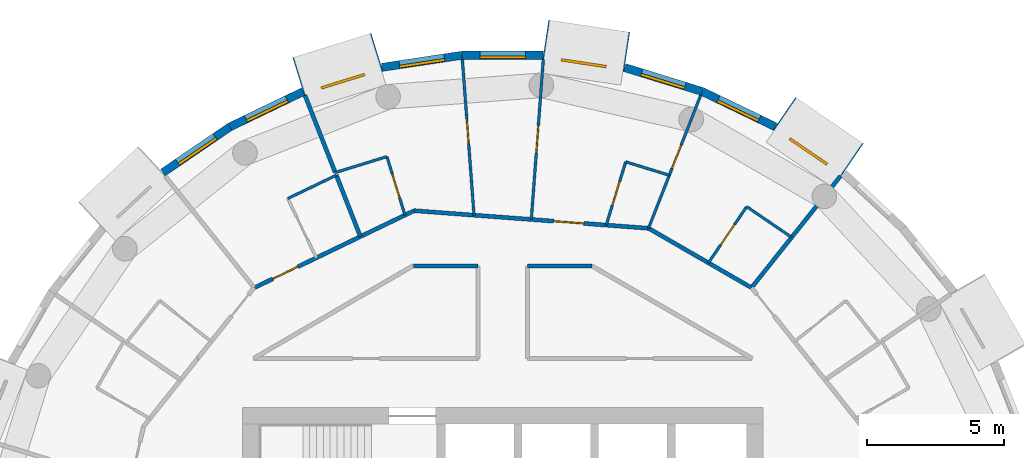
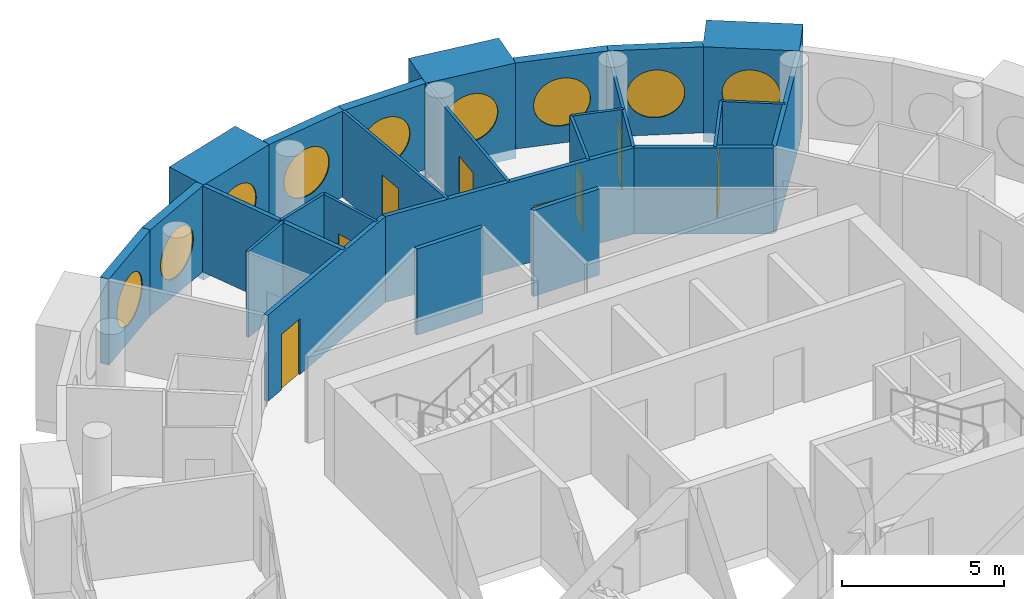
# One storey, part 11 of 13: 28 walls, 9 windows, 8 doors, 17 openings.
"""IFC4 building model written with IfcOpenShell, lengths in metres."""

from ifc_helpers import new_model, si_unit, direction, frame, frame_2d, origin, origin_2d, place, context, subcontext, project, spatial, rectangle, circle, extrude, material, layer, layer_set, type_object, element, fill, save


model = new_model("IFC4")

# Units and contexts
model_context = context("Model", 3, precision=1e-05, world=origin(), true_north=direction((0.0, 1.0)))
body_context = subcontext(model_context, "Body", "Model", "MODEL_VIEW")
ifc_project = project(units=[si_unit("LENGTHUNIT", "METRE"), si_unit("AREAUNIT", "SQUARE_METRE"), si_unit("VOLUMEUNIT", "CUBIC_METRE"), si_unit("PLANEANGLEUNIT", "RADIAN"), si_unit("MASSUNIT", "GRAM", prefix="KILO")], contexts=[model_context])

# Site, building, storey
site_placement = place(None, origin())
site = spatial("IfcSite", under=ifc_project, at=site_placement, CompositionType="ELEMENT")
building_placement = place(site_placement, origin())
building = spatial("IfcBuilding", under=site, at=building_placement, Name="Tracery Tower", CompositionType="ELEMENT")
storey_placement = place(building_placement, frame((0.0, 0.0, 309.0)))
storey = spatial("IfcBuildingStorey", under=building, at=storey_placement, Name="L80", CompositionType="ELEMENT", Elevation=309.0)

# Wall, opening, window
ifc_material_1 = material(Name="Precast concrete C50/60", Category="concrete")
ifc_layer_1 = layer(ifc_material_1, 1.449951171875)
ifc_layer_set_1 = layer_set([ifc_layer_1], Name="Deep-set bay unit 3000 x 3600, slab edge 350")
wall_type_1 = type_object("IfcWallType", Name="Deep-set bay unit 3000 x 3600, slab edge 350", PredefinedType="ELEMENTEDWALL", material=ifc_layer_set_1)
wall_1_placement = place(storey_placement, frame((12.754150390625, 16.044189453125, -0.35009765625), z_axis=(0.0, 0.0, 1.0), x_axis=(-0.826246281157, 0.563309047392, 0.0)))
wall_1 = element("IfcWall", 1, at=wall_1_placement, inside=storey, type_object=wall_type_1, Name="Deep-set bay unit 7 at L80", PredefinedType="ELEMENTEDWALL", context=body_context, shape_type="SweptSolid", body=[
    extrude(rectangle(XDim=3.0, YDim=1.449951171875, at=frame_2d((1.5, 0.0))), origin(), (0.0, 0.0, 1.0), 3.60009765625),
])
opening_1_placement = place(wall_1_placement, frame((1.5, 0.0, 1.89990234375)))
opening_1 = element("IfcOpeningElement", 2, at=opening_1_placement, cuts=wall_1, Name="Opening WN1", PredefinedType="OPENING", context=body_context, shape_type="SweptSolid", body=[
    extrude(circle(Radius=0.9000244140625, at=origin_2d()), frame((0.0, 0.73486328125, 0.0), z_axis=(0.0, -1.0, 0.0), x_axis=(1.0, 0.0, 0.0)), (0.0, 0.0, 1.0), 1.469970703125),
])
ifc_material_2 = material(Name="Aluminium frame with tinted double glazing", Category="aluminium")
window_type = type_object("IfcWindowType", Name="Round window 1800", PartitioningType="SINGLE_PANEL", PredefinedType="WINDOW", material=ifc_material_2)
window_1_placement = place(opening_1_placement, origin())
window_1 = element("IfcWindow", 3, at=window_1_placement, inside=storey, type_object=window_type, Name="Round window 7 at L80", OverallHeight=1.800048828125, OverallWidth=1.800048828125, PartitioningType="SINGLE_PANEL", PredefinedType="WINDOW", context=body_context, shape_type="SweptSolid", body=[
    extrude(circle(Radius=0.9000244140625, at=origin_2d()), frame((0.0, 0.69482421875, 0.0), z_axis=(0.0, -1.0, 0.0), x_axis=(1.0, 0.0, 0.0)), (0.0, 0.0, 1.0), 0.10009765625),
])
fill(opening_1, window_1)

wall_2_placement = place(storey_placement, frame((4.52978515625, 19.9892578125, -0.35009765625), z_axis=(0.0, 0.0, 1.0), x_axis=(-0.988836445254, 0.149004981587, 0.0)))
wall_2 = element("IfcWall", 4, at=wall_2_placement, inside=storey, type_object=wall_type_1, Name="Deep-set bay unit 10 at L80", PredefinedType="ELEMENTEDWALL", context=body_context, shape_type="SweptSolid", body=[
    extrude(rectangle(XDim=3.0, YDim=1.449951171875, at=frame_2d((1.5, 0.0))), origin(), (0.0, 0.0, 1.0), 3.60009765625),
])
opening_2_placement = place(wall_2_placement, frame((1.5, 0.0, 1.89990234375)))
opening_2 = element("IfcOpeningElement", 5, at=opening_2_placement, cuts=wall_2, Name="Opening WN1", PredefinedType="OPENING", context=body_context, shape_type="SweptSolid", body=[
    extrude(circle(Radius=0.9000244140625, at=origin_2d()), frame((0.0, 0.73486328125, 0.0), z_axis=(0.0, -1.0, 0.0), x_axis=(1.0, 0.0, 0.0)), (0.0, 0.0, 1.0), 1.469970703125),
])
window_2_placement = place(opening_2_placement, origin())
window_2 = element("IfcWindow", 6, at=window_2_placement, inside=storey, type_object=window_type, Name="Round window 10 at L80", OverallHeight=1.800048828125, OverallWidth=1.800048828125, PartitioningType="SINGLE_PANEL", PredefinedType="WINDOW", context=body_context, shape_type="SweptSolid", body=[
    extrude(circle(Radius=0.9000244140625, at=origin_2d()), frame((0.0, 0.69482421875, 0.0), z_axis=(0.0, -1.0, 0.0), x_axis=(1.0, 0.0, 0.0)), (0.0, 0.0, 1.0), 0.10009765625),
])
fill(opening_2, window_2)

wall_3_placement = place(storey_placement, frame((-4.591796875, 19.97509765625, -0.35009765625), z_axis=(0.0, 0.0, 1.0), x_axis=(-0.955571139978, -0.294760574774, 0.0)))
wall_3 = element("IfcWall", 7, at=wall_3_placement, inside=storey, type_object=wall_type_1, Name="Deep-set bay unit 13 at L80", PredefinedType="ELEMENTEDWALL", context=body_context, shape_type="SweptSolid", body=[
    extrude(rectangle(XDim=3.0, YDim=1.449951171875, at=frame_2d((1.5, 0.0))), origin(), (0.0, 0.0, 1.0), 3.60009765625),
])
opening_3_placement = place(wall_3_placement, frame((1.5, 0.0, 1.89990234375)))
opening_3 = element("IfcOpeningElement", 8, at=opening_3_placement, cuts=wall_3, Name="Opening WN1", PredefinedType="OPENING", context=body_context, shape_type="SweptSolid", body=[
    extrude(circle(Radius=0.9000244140625, at=origin_2d()), frame((0.0, 0.73486328125, 0.0), z_axis=(0.0, -1.0, 0.0), x_axis=(1.0, 0.0, 0.0)), (0.0, 0.0, 1.0), 1.469970703125),
])
window_3_placement = place(opening_3_placement, origin())
window_3 = element("IfcWindow", 9, at=window_3_placement, inside=storey, type_object=window_type, Name="Round window 13 at L80", OverallHeight=1.800048828125, OverallWidth=1.800048828125, PartitioningType="SINGLE_PANEL", PredefinedType="WINDOW", context=body_context, shape_type="SweptSolid", body=[
    extrude(circle(Radius=0.9000244140625, at=origin_2d()), frame((0.0, 0.69482421875, 0.0), z_axis=(0.0, -1.0, 0.0), x_axis=(1.0, 0.0, 0.0)), (0.0, 0.0, 1.0), 0.10009765625),
])
fill(opening_3, window_3)

ifc_material_3 = material(Name="Precast concrete C50/60", Category="concrete")
ifc_layer_2 = layer(ifc_material_3, 0.300048828125)
ifc_layer_set_2 = layer_set([ifc_layer_2], Name="Facade panel 3000 x 3250")
wall_type_2 = type_object("IfcWallType", Name="Facade panel 3000 x 3250", PredefinedType="SOLIDWALL", material=ifc_layer_set_2)
wall_4_placement = place(storey_placement, frame((9.947021484375, 17.25927734375, 0.0), z_axis=(0.0, 0.0, 1.0), x_axis=(-0.900939615635, 0.433944476838, 0.0)))
wall_4 = element("IfcWall", 10, at=wall_4_placement, inside=storey, type_object=wall_type_2, Name="Facade panel 8 at L80", PredefinedType="SOLIDWALL", context=body_context, shape_type="SweptSolid", body=[
    extrude(rectangle(XDim=2.962158203125, YDim=0.300048828125, at=frame_2d((1.48095703125, 0.0))), origin(), (0.0, 0.0, 1.0), 3.25),
])
opening_4_placement = place(wall_4_placement, frame((1.48095703125, 0.0, 1.5498046875)))
opening_4 = element("IfcOpeningElement", 11, at=opening_4_placement, cuts=wall_4, Name="Opening WN1", PredefinedType="OPENING", context=body_context, shape_type="SweptSolid", body=[
    extrude(circle(Radius=0.9000244140625, at=origin_2d()), frame((0.0, 0.159912109375, 0.0), z_axis=(0.0, -1.0, 0.0), x_axis=(1.0, 0.0, 0.0)), (0.0, 0.0, 1.0), 0.320068359375),
])
window_4_placement = place(opening_4_placement, origin())
window_4 = element("IfcWindow", 12, at=window_4_placement, inside=storey, type_object=window_type, Name="Round window 8 at L80", OverallHeight=1.800048828125, OverallWidth=1.800048828125, PartitioningType="SINGLE_PANEL", PredefinedType="WINDOW", context=body_context, shape_type="SweptSolid", body=[
    extrude(circle(Radius=0.9000244140625, at=origin_2d()), frame((0.0, 0.1201171875, 0.0), z_axis=(0.0, -1.0, 0.0), x_axis=(1.0, 0.0, 0.0)), (0.0, 0.0, 1.0), 0.10009765625),
])
fill(opening_4, window_4)

wall_5_placement = place(storey_placement, frame((7.2783203125, 18.544677734375, 0.0), z_axis=(0.0, 0.0, 1.0), x_axis=(-0.95558635705, 0.294711238707, 0.0)))
wall_5 = element("IfcWall", 13, at=wall_5_placement, inside=storey, type_object=wall_type_2, Name="Facade panel 9 at L80", PredefinedType="SOLIDWALL", context=body_context, shape_type="SweptSolid", body=[
    extrude(rectangle(XDim=2.96240234375, YDim=0.300048828125, at=frame_2d((1.481201171875, 0.0))), origin(), (0.0, 0.0, 1.0), 3.25),
])
opening_5_placement = place(wall_5_placement, frame((1.48095703125, 0.0, 1.5498046875)))
opening_5 = element("IfcOpeningElement", 14, at=opening_5_placement, cuts=wall_5, Name="Opening WN1", PredefinedType="OPENING", context=body_context, shape_type="SweptSolid", body=[
    extrude(circle(Radius=0.9000244140625, at=origin_2d()), frame((0.0, 0.159912109375, 0.0), z_axis=(0.0, -1.0, 0.0), x_axis=(1.0, 0.0, 0.0)), (0.0, 0.0, 1.0), 0.320068359375),
])
window_5_placement = place(opening_5_placement, origin())
window_5 = element("IfcWindow", 15, at=window_5_placement, inside=storey, type_object=window_type, Name="Round window 9 at L80", OverallHeight=1.800048828125, OverallWidth=1.800048828125, PartitioningType="SINGLE_PANEL", PredefinedType="WINDOW", context=body_context, shape_type="SweptSolid", body=[
    extrude(circle(Radius=0.9000244140625, at=origin_2d()), frame((0.0, 0.1201171875, 0.0), z_axis=(0.0, -1.0, 0.0), x_axis=(1.0, 0.0, 0.0)), (0.0, 0.0, 1.0), 0.10009765625),
])
fill(opening_5, window_5)

wall_6_placement = place(storey_placement, frame((1.473388671875, 19.865966796875, 0.0), z_axis=(0.0, 0.0, 1.0), x_axis=(-1.0, 0.0, 0.0)))
wall_6 = element("IfcWall", 16, at=wall_6_placement, inside=storey, type_object=wall_type_2, Name="Facade panel 11 at L80", PredefinedType="SOLIDWALL", context=body_context, shape_type="SweptSolid", body=[
    extrude(rectangle(XDim=2.962158203125, YDim=0.300048828125, at=frame_2d((1.48095703125, 0.0))), origin(), (0.0, 0.0, 1.0), 3.25),
])
opening_6_placement = place(wall_6_placement, frame((1.48095703125, 0.0, 1.5498046875)))
opening_6 = element("IfcOpeningElement", 17, at=opening_6_placement, cuts=wall_6, Name="Opening WN1", PredefinedType="OPENING", context=body_context, shape_type="SweptSolid", body=[
    extrude(circle(Radius=0.9000244140625, at=origin_2d()), frame((0.0, 0.159912109375, 0.0), z_axis=(0.0, -1.0, 0.0), x_axis=(1.0, 0.0, 0.0)), (0.0, 0.0, 1.0), 0.320068359375),
])
window_6_placement = place(opening_6_placement, origin())
window_6 = element("IfcWindow", 18, at=window_6_placement, inside=storey, type_object=window_type, Name="Round window 11 at L80", OverallHeight=1.800048828125, OverallWidth=1.800048828125, PartitioningType="SINGLE_PANEL", PredefinedType="WINDOW", context=body_context, shape_type="SweptSolid", body=[
    extrude(circle(Radius=0.9000244140625, at=origin_2d()), frame((0.0, 0.1201171875, 0.0), z_axis=(0.0, -1.0, 0.0), x_axis=(1.0, 0.0, 0.0)), (0.0, 0.0, 1.0), 0.10009765625),
])
fill(opening_6, window_6)

wall_7_placement = place(storey_placement, frame((-1.48876953125, 19.865966796875, 0.0), z_axis=(0.0, 0.0, 1.0), x_axis=(-0.988835775663, -0.149009425104, 0.0)))
wall_7 = element("IfcWall", 19, at=wall_7_placement, inside=storey, type_object=wall_type_2, Name="Facade panel 12 at L80", PredefinedType="SOLIDWALL", context=body_context, shape_type="SweptSolid", body=[
    extrude(rectangle(XDim=2.962158203125, YDim=0.300048828125, at=frame_2d((1.48095703125, 0.0))), origin(), (0.0, 0.0, 1.0), 3.25),
])
opening_7_placement = place(wall_7_placement, frame((1.48095703125, 0.0, 1.5498046875)))
opening_7 = element("IfcOpeningElement", 20, at=opening_7_placement, cuts=wall_7, Name="Opening WN1", PredefinedType="OPENING", context=body_context, shape_type="SweptSolid", body=[
    extrude(circle(Radius=0.9000244140625, at=origin_2d()), frame((0.0, 0.159912109375, 0.0), z_axis=(0.0, -1.0, 0.0), x_axis=(1.0, 0.0, 0.0)), (0.0, 0.0, 1.0), 0.320068359375),
])
window_7_placement = place(opening_7_placement, origin())
window_7 = element("IfcWindow", 21, at=window_7_placement, inside=storey, type_object=window_type, Name="Round window 12 at L80", OverallHeight=1.800048828125, OverallWidth=1.800048828125, PartitioningType="SINGLE_PANEL", PredefinedType="WINDOW", context=body_context, shape_type="SweptSolid", body=[
    extrude(circle(Radius=0.9000244140625, at=origin_2d()), frame((0.0, 0.1201171875, 0.0), z_axis=(0.0, -1.0, 0.0), x_axis=(1.0, 0.0, 0.0)), (0.0, 0.0, 1.0), 0.10009765625),
])
fill(opening_7, window_7)

wall_8_placement = place(storey_placement, frame((-7.2919921875, 18.5380859375, 0.0), z_axis=(0.0, 0.0, 1.0), x_axis=(-0.90095513435, -0.433912255978, 0.0)))
wall_8 = element("IfcWall", 22, at=wall_8_placement, inside=storey, type_object=wall_type_2, Name="Facade panel 14 at L80", PredefinedType="SOLIDWALL", context=body_context, shape_type="SweptSolid", body=[
    extrude(rectangle(XDim=2.96240234375, YDim=0.300048828125, at=frame_2d((1.481201171875, 0.0))), origin(), (0.0, 0.0, 1.0), 3.25),
])
opening_8_placement = place(wall_8_placement, frame((1.48095703125, 0.0, 1.5498046875)))
opening_8 = element("IfcOpeningElement", 23, at=opening_8_placement, cuts=wall_8, Name="Opening WN1", PredefinedType="OPENING", context=body_context, shape_type="SweptSolid", body=[
    extrude(circle(Radius=0.9000244140625, at=origin_2d()), frame((0.0, 0.159912109375, 0.0), z_axis=(0.0, -1.0, 0.0), x_axis=(1.0, 0.0, 0.0)), (0.0, 0.0, 1.0), 0.320068359375),
])
window_8_placement = place(opening_8_placement, origin())
window_8 = element("IfcWindow", 24, at=window_8_placement, inside=storey, type_object=window_type, Name="Round window 14 at L80", OverallHeight=1.800048828125, OverallWidth=1.800048828125, PartitioningType="SINGLE_PANEL", PredefinedType="WINDOW", context=body_context, shape_type="SweptSolid", body=[
    extrude(circle(Radius=0.9000244140625, at=origin_2d()), frame((0.0, 0.1201171875, 0.0), z_axis=(0.0, -1.0, 0.0), x_axis=(1.0, 0.0, 0.0)), (0.0, 0.0, 1.0), 0.10009765625),
])
fill(opening_8, window_8)

wall_9_placement = place(storey_placement, frame((-9.9609375, 17.252685546875, 0.0), z_axis=(0.0, 0.0, 1.0), x_axis=(-0.826236061068, -0.563324037646, 0.0)))
wall_9 = element("IfcWall", 25, at=wall_9_placement, inside=storey, type_object=wall_type_2, Name="Facade panel 15 at L80", PredefinedType="SOLIDWALL", context=body_context, shape_type="SweptSolid", body=[
    extrude(rectangle(XDim=2.962158203125, YDim=0.300048828125, at=frame_2d((1.48095703125, 0.0))), origin(), (0.0, 0.0, 1.0), 3.25),
])
opening_9_placement = place(wall_9_placement, frame((1.48095703125, 0.0, 1.5498046875)))
opening_9 = element("IfcOpeningElement", 26, at=opening_9_placement, cuts=wall_9, Name="Opening WN1", PredefinedType="OPENING", context=body_context, shape_type="SweptSolid", body=[
    extrude(circle(Radius=0.9000244140625, at=origin_2d()), frame((0.0, 0.159912109375, 0.0), z_axis=(0.0, -1.0, 0.0), x_axis=(1.0, 0.0, 0.0)), (0.0, 0.0, 1.0), 0.320068359375),
])
window_9_placement = place(opening_9_placement, origin())
window_9 = element("IfcWindow", 27, at=window_9_placement, inside=storey, type_object=window_type, Name="Round window 15 at L80", OverallHeight=1.800048828125, OverallWidth=1.800048828125, PartitioningType="SINGLE_PANEL", PredefinedType="WINDOW", context=body_context, shape_type="SweptSolid", body=[
    extrude(circle(Radius=0.9000244140625, at=origin_2d()), frame((0.0, 0.1201171875, 0.0), z_axis=(0.0, -1.0, 0.0), x_axis=(1.0, 0.0, 0.0)), (0.0, 0.0, 1.0), 0.10009765625),
])
fill(opening_9, window_9)

# Wall, opening, door
ifc_material_4 = material(Name="Plasterboard on steel studs", Category="steel")
ifc_layer_3 = layer(ifc_material_4, 0.10009765625)
ifc_layer_set_3 = layer_set([ifc_layer_3], Name="Partition 100 stud")
wall_type_3 = type_object("IfcWallType", Name="Partition 100 stud", PredefinedType="PARTITIONING", material=ifc_layer_set_3)
wall_10_placement = place(storey_placement, frame((1.0400390625, 13.87109375, 0.0), z_axis=(0.0, 0.0, 1.0), x_axis=(0.074724712234, 0.997204200443, 0.0)))
wall_10 = element("IfcWall", 28, at=wall_10_placement, inside=storey, type_object=wall_type_3, Name="Stud partition RC8-054", PredefinedType="PARTITIONING", context=body_context, shape_type="SweptSolid", body=[
    extrude(rectangle(XDim=5.861328125, YDim=0.10009765625, at=frame_2d((2.9306640625, 0.0))), origin(), (0.0, 0.0, 1.0), 3.25),
])
opening_10_placement = place(wall_10_placement, frame((2.430908203125, 0.0, 0.0)))
opening_10 = element("IfcOpeningElement", 29, at=opening_10_placement, cuts=wall_10, Name="Opening RC8-11", PredefinedType="OPENING", context=body_context, shape_type="SweptSolid", body=[
    extrude(rectangle(XDim=1.0, YDim=2.0400390625, at=frame_2d((0.5, 1.02001953125))), frame((0.0, 0.050048828125, 0.0), z_axis=(0.0, -1.0, 0.0), x_axis=(1.0, 0.0, 0.0)), (0.0, 0.0, 1.0), 0.10009765625),
])
ifc_material_5 = material(Name="Timber door leaf", Category="wood")
door_type_1 = type_object("IfcDoorType", Name="Door communal room 1000", OperationType="NOTDEFINED", PredefinedType="DOOR", material=ifc_material_5)
door_1_placement = place(opening_10_placement, origin())
door_1 = element("IfcDoor", 30, at=door_1_placement, inside=storey, type_object=door_type_1, Name="Communal room door RC8-11", OperationType="SINGLE_SWING_RIGHT", OverallHeight=2.0400390625, OverallWidth=1.0, PredefinedType="DOOR", context=body_context, shape_type="SweptSolid", body=[
    extrude(rectangle(XDim=1.0, YDim=2.0400390625, at=frame_2d((0.5, 1.02001953125))), frame((0.0, 0.02490234375, 0.0), z_axis=(0.0, -1.0, 0.0), x_axis=(1.0, 0.0, 0.0)), (0.0, 0.0, 1.0), 0.050048828125),
])
fill(opening_10, door_1)

wall_11_placement = place(storey_placement, frame((6.076904296875, 15.485107421875, 0.0), z_axis=(0.0, 0.0, 1.0), x_axis=(0.365344119851, 0.93087253375, 0.0)))
wall_11 = element("IfcWall", 31, at=wall_11_placement, inside=storey, type_object=wall_type_3, Name="Stud partition RC8-057", PredefinedType="PARTITIONING", context=body_context, shape_type="SweptSolid", body=[
    extrude(rectangle(XDim=3.13671875, YDim=0.10009765625, at=frame_2d((1.568359375, 0.0))), origin(), (0.0, 0.0, 1.0), 3.25),
])
opening_11_placement = place(wall_11_placement, frame((0.27685546875, 0.0, 0.0)))
opening_11 = element("IfcOpeningElement", 32, at=opening_11_placement, cuts=wall_11, Name="Opening RC8-13", PredefinedType="OPENING", context=body_context, shape_type="SweptSolid", body=[
    extrude(rectangle(XDim=0.89990234375, YDim=2.10009765625, at=frame_2d((0.449951171875, 1.050048828125))), frame((0.0, 0.050048828125, 0.0), z_axis=(0.0, -1.0, 0.0), x_axis=(1.0, 0.0, 0.0)), (0.0, 0.0, 1.0), 0.10009765625),
])
ifc_material_6 = material(Name="Timber door leaf", Category="wood")
door_type_2 = type_object("IfcDoorType", Name="Door bedroom 900", OperationType="NOTDEFINED", PredefinedType="DOOR", material=ifc_material_6)
door_2_placement = place(opening_11_placement, origin())
door_2 = element("IfcDoor", 33, at=door_2_placement, inside=storey, type_object=door_type_2, Name="Bedroom door RC8-13", OperationType="SINGLE_SWING_RIGHT", OverallHeight=2.10009765625, OverallWidth=0.89990234375, PredefinedType="DOOR", context=body_context, shape_type="SweptSolid", body=[
    extrude(rectangle(XDim=0.89990234375, YDim=2.10009765625, at=frame_2d((0.449951171875, 1.050048828125))), frame((0.0, 0.02490234375, 0.0), z_axis=(0.0, -1.0, 0.0), x_axis=(1.0, 0.0, 0.0)), (0.0, 0.0, 1.0), 0.050048828125),
])
fill(opening_11, door_2)

wall_12_placement = place(storey_placement, frame((-1.47802734375, 19.716064453125, 0.0), z_axis=(0.0, 0.0, 1.0), x_axis=(0.074860175832, -0.997194040332, 0.0)))
wall_12 = element("IfcWall", 34, at=wall_12_placement, inside=storey, type_object=wall_type_3, Name="Stud partition RC8-058", PredefinedType="PARTITIONING", context=body_context, shape_type="SweptSolid", body=[
    extrude(rectangle(XDim=5.7041015625, YDim=0.10009765625, at=frame_2d((2.85205078125, 0.0))), origin(), (0.0, 0.0, 1.0), 3.25),
])
opening_12_placement = place(wall_12_placement, frame((2.181884765625, 0.0, 0.0)))
opening_12 = element("IfcOpeningElement", 35, at=opening_12_placement, cuts=wall_12, Name="Opening RC8-15", PredefinedType="OPENING", context=body_context, shape_type="SweptSolid", body=[
    extrude(rectangle(XDim=0.89990234375, YDim=2.10009765625, at=frame_2d((0.449951171875, 1.050048828125))), frame((0.0, 0.050048828125, 0.0), z_axis=(0.0, -1.0, 0.0), x_axis=(1.0, 0.0, 0.0)), (0.0, 0.0, 1.0), 0.10009765625),
])
door_3_placement = place(opening_12_placement, origin())
door_3 = element("IfcDoor", 36, at=door_3_placement, inside=storey, type_object=door_type_2, Name="Bedroom door RC8-15", OperationType="SINGLE_SWING_RIGHT", OverallHeight=2.10009765625, OverallWidth=0.89990234375, PredefinedType="DOOR", context=body_context, shape_type="SweptSolid", body=[
    extrude(rectangle(XDim=0.89990234375, YDim=2.10009765625, at=frame_2d((0.449951171875, 1.050048828125))), frame((0.0, 0.02490234375, 0.0), z_axis=(0.0, -1.0, 0.0), x_axis=(1.0, 0.0, 0.0)), (0.0, 0.0, 1.0), 0.050048828125),
])
fill(opening_12, door_3)

# Wall
ifc_material_7 = material(Name="Plasterboard on steel studs", Category="steel")
ifc_layer_4 = layer(ifc_material_7, 0.10009765625)
ifc_layer_set_4 = layer_set([ifc_layer_4], Name="Partition 100 wet wall")
wall_type_4 = type_object("IfcWallType", Name="Partition 100 wet wall", PredefinedType="PARTITIONING", material=ifc_layer_set_4)
wall_13_placement = place(storey_placement, frame((4.486083984375, 15.97607421875, 0.0), z_axis=(0.0, 0.0, 1.0), x_axis=(0.955528179313, -0.294899811019, 0.0)))
element("IfcWall", 37, at=wall_13_placement, inside=storey, type_object=wall_type_4, Name="Wet wall RC8-055", PredefinedType="PARTITIONING", context=body_context, shape_type="SweptSolid", body=[
    extrude(rectangle(XDim=1.664794921875, YDim=0.10009765625, at=frame_2d((0.83251953125, 0.0))), origin(), (0.0, 0.0, 1.0), 3.25),
])

# Wall, opening, door
wall_14_placement = place(storey_placement, frame((3.77294921875, 13.6669921875, 0.0), z_axis=(0.0, 0.0, 1.0), x_axis=(0.295086629105, 0.955470502592, 0.0)))
wall_14 = element("IfcWall", 38, at=wall_14_placement, inside=storey, type_object=wall_type_4, Name="Wet wall RC8-056", PredefinedType="PARTITIONING", context=body_context, shape_type="SweptSolid", body=[
    extrude(rectangle(XDim=2.416748046875, YDim=0.10009765625, at=frame_2d((1.20849609375, 0.0))), origin(), (0.0, 0.0, 1.0), 3.25),
])
opening_13_placement = place(wall_14_placement, frame((0.758544921875, 0.0, 0.0)))
opening_13 = element("IfcOpeningElement", 39, at=opening_13_placement, cuts=wall_14, Name="Opening RC8-12", PredefinedType="OPENING", context=body_context, shape_type="SweptSolid", body=[
    extrude(rectangle(XDim=0.89990234375, YDim=2.0, at=frame_2d((0.449951171875, 1.0))), frame((0.0, 0.050048828125, 0.0), z_axis=(0.0, -1.0, 0.0), x_axis=(1.0, 0.0, 0.0)), (0.0, 0.0, 1.0), 0.10009765625),
])
ifc_material_8 = material(Name="Timber door leaf", Category="wood")
door_type_3 = type_object("IfcDoorType", Name="Door shower room 900", OperationType="NOTDEFINED", PredefinedType="DOOR", material=ifc_material_8)
door_4_placement = place(opening_13_placement, origin())
door_4 = element("IfcDoor", 40, at=door_4_placement, inside=storey, type_object=door_type_3, Name="Shower room door RC8-12", OperationType="SINGLE_SWING_LEFT", OverallHeight=2.0, OverallWidth=0.89990234375, PredefinedType="DOOR", context=body_context, shape_type="SweptSolid", body=[
    extrude(rectangle(XDim=0.89990234375, YDim=2.0, at=frame_2d((0.449951171875, 1.0))), frame((0.0, 0.02490234375, 0.0), z_axis=(0.0, -1.0, 0.0), x_axis=(1.0, 0.0, 0.0)), (0.0, 0.0, 1.0), 0.050048828125),
])
fill(opening_13, door_4)

# Walls
wall_15_placement = place(storey_placement, frame((5.318115234375, 13.551025390625, 0.0), z_axis=(0.0, 0.0, 1.0), x_axis=(0.365223322063, 0.930919934807, 0.0)))
element("IfcWall", 41, at=wall_15_placement, inside=storey, type_object=wall_type_4, Name="Wet wall RC8-059", PredefinedType="PARTITIONING", context=body_context, shape_type="SweptSolid", body=[
    extrude(rectangle(XDim=2.07763671875, YDim=0.10009765625, at=frame_2d((1.038818359375, 0.0))), origin(), (0.0, 0.0, 1.0), 3.25),
])
wall_16_placement = place(storey_placement, frame((8.902099609375, 14.340087890625, 0.0), z_axis=(0.0, 0.0, 1.0), x_axis=(0.826141514998, -0.563462684831, 0.0)))
element("IfcWall", 42, at=wall_16_placement, inside=storey, type_object=wall_type_4, Name="Wet wall RC8-060", PredefinedType="PARTITIONING", context=body_context, shape_type="SweptSolid", body=[
    extrude(rectangle(XDim=1.986083984375, YDim=0.10009765625, at=frame_2d((0.9931640625, 0.0))), origin(), (0.0, 0.0, 1.0), 3.25),
])

# Wall, opening, door
wall_17_placement = place(storey_placement, frame((7.50390625, 12.2890625, 0.0), z_axis=(0.0, 0.0, 1.0), x_axis=(0.563272733387, 0.826271037749, 0.0)))
wall_17 = element("IfcWall", 43, at=wall_17_placement, inside=storey, type_object=wall_type_4, Name="Wet wall RC8-061", PredefinedType="PARTITIONING", context=body_context, shape_type="SweptSolid", body=[
    extrude(rectangle(XDim=2.482177734375, YDim=0.10009765625, at=frame_2d((1.2412109375, 0.0))), origin(), (0.0, 0.0, 1.0), 3.25),
])
opening_14_placement = place(wall_17_placement, frame((0.791015625, 0.0, 0.0)))
opening_14 = element("IfcOpeningElement", 44, at=opening_14_placement, cuts=wall_17, Name="Opening RC8-14", PredefinedType="OPENING", context=body_context, shape_type="SweptSolid", body=[
    extrude(rectangle(XDim=0.89990234375, YDim=2.0400390625, at=frame_2d((0.449951171875, 1.02001953125))), frame((0.0, 0.050048828125, 0.0), z_axis=(0.0, -1.0, 0.0), x_axis=(1.0, 0.0, 0.0)), (0.0, 0.0, 1.0), 0.10009765625),
])
ifc_material_9 = material(Name="Timber door leaf", Category="wood")
door_type_4 = type_object("IfcDoorType", Name="Door en-suite 900", OperationType="NOTDEFINED", PredefinedType="DOOR", material=ifc_material_9)
door_5_placement = place(opening_14_placement, origin())
door_5 = element("IfcDoor", 45, at=door_5_placement, inside=storey, type_object=door_type_4, Name="En-suite door RC8-14", OperationType="SINGLE_SWING_LEFT", OverallHeight=2.0400390625, OverallWidth=0.89990234375, PredefinedType="DOOR", context=body_context, shape_type="SweptSolid", body=[
    extrude(rectangle(XDim=0.89990234375, YDim=2.0400390625, at=frame_2d((0.449951171875, 1.02001953125))), frame((0.0, 0.02490234375, 0.0), z_axis=(0.0, -1.0, 0.0), x_axis=(1.0, 0.0, 0.0)), (0.0, 0.0, 1.0), 0.050048828125),
])
fill(opening_14, door_5)

wall_18_placement = place(storey_placement, frame((-4.23095703125, 16.166015625, 0.0), z_axis=(0.0, 0.0, 1.0), x_axis=(0.295030507093, -0.955487833457, 0.0)))
wall_18 = element("IfcWall", 46, at=wall_18_placement, inside=storey, type_object=wall_type_4, Name="Wet wall RC8-062", PredefinedType="PARTITIONING", context=body_context, shape_type="SweptSolid", body=[
    extrude(rectangle(XDim=2.2333984375, YDim=0.10009765625, at=frame_2d((1.11669921875, 0.0))), origin(), (0.0, 0.0, 1.0), 3.25),
])
opening_15_placement = place(wall_18_placement, frame((0.66650390625, 0.0, 0.0)))
opening_15 = element("IfcOpeningElement", 47, at=opening_15_placement, cuts=wall_18, Name="Opening RC8-16", PredefinedType="OPENING", context=body_context, shape_type="SweptSolid", body=[
    extrude(rectangle(XDim=0.89990234375, YDim=2.0400390625, at=frame_2d((0.449951171875, 1.02001953125))), frame((0.0, 0.050048828125, 0.0), z_axis=(0.0, -1.0, 0.0), x_axis=(1.0, 0.0, 0.0)), (0.0, 0.0, 1.0), 0.10009765625),
])
door_6_placement = place(opening_15_placement, origin())
door_6 = element("IfcDoor", 48, at=door_6_placement, inside=storey, type_object=door_type_4, Name="En-suite door RC8-16", OperationType="SINGLE_SWING_RIGHT", OverallHeight=2.0400390625, OverallWidth=0.89990234375, PredefinedType="DOOR", context=body_context, shape_type="SweptSolid", body=[
    extrude(rectangle(XDim=0.89990234375, YDim=2.0400390625, at=frame_2d((0.449951171875, 1.02001953125))), frame((0.0, 0.02490234375, 0.0), z_axis=(0.0, -1.0, 0.0), x_axis=(1.0, 0.0, 0.0)), (0.0, 0.0, 1.0), 0.050048828125),
])
fill(opening_15, door_6)

# Walls
wall_19_placement = place(storey_placement, frame((-6.116943359375, 15.5849609375, 0.0), z_axis=(0.0, 0.0, 1.0), x_axis=(0.955671951668, 0.294433559219, 0.0)))
element("IfcWall", 49, at=wall_19_placement, inside=storey, type_object=wall_type_4, Name="Wet wall RC8-063", PredefinedType="PARTITIONING", context=body_context, shape_type="SweptSolid", body=[
    extrude(rectangle(XDim=1.973388671875, YDim=0.10009765625, at=frame_2d((0.98681640625, 0.0))), origin(), (0.0, 0.0, 1.0), 3.25),
])
wall_20_placement = place(storey_placement, frame((-7.85009765625, 14.635009765625, 0.0), z_axis=(0.0, 0.0, 1.0), x_axis=(0.900936932599, 0.433950047216, 0.0)))
element("IfcWall", 50, at=wall_20_placement, inside=storey, type_object=wall_type_4, Name="Wet wall RC8-066", PredefinedType="PARTITIONING", context=body_context, shape_type="SweptSolid", body=[
    extrude(rectangle(XDim=1.9658203125, YDim=0.10009765625, at=frame_2d((0.98291015625, 0.0))), origin(), (0.0, 0.0, 1.0), 3.25),
])
ifc_material_10 = material(Name="Plasterboard on steel studs", Category="steel")
ifc_layer_5 = layer(ifc_material_10, 0.14990234375)
ifc_layer_set_5 = layer_set([ifc_layer_5], Name="Partition 150 acoustic unit wall")
wall_type_5 = type_object("IfcWallType", Name="Partition 150 acoustic unit wall", PredefinedType="PARTITIONING", material=ifc_layer_set_5)
wall_21_placement = place(storey_placement, frame((9.076171875, 11.380859375, 0.0), z_axis=(0.0, 0.0, 1.0), x_axis=(0.623409504508, 0.781895510723, 0.0)))
element("IfcWall", 51, at=wall_21_placement, inside=storey, type_object=wall_type_5, Name="Unit wall RC8-053", PredefinedType="PARTITIONING", context=body_context, shape_type="SweptSolid", body=[
    extrude(rectangle(XDim=5.21435546875, YDim=0.14990234375, at=frame_2d((2.607177734375, 0.0))), origin(), (0.0, 0.0, 1.0), 3.25),
])
wall_22_placement = place(storey_placement, frame((-7.222900390625, 18.405029296875, 0.0), z_axis=(0.0, 0.0, 1.0), x_axis=(0.365101225584, -0.93096782709, 0.0)))
element("IfcWall", 52, at=wall_22_placement, inside=storey, type_object=wall_type_5, Name="Unit wall RC8-064", PredefinedType="PARTITIONING", context=body_context, shape_type="SweptSolid", body=[
    extrude(rectangle(XDim=3.029296875, YDim=0.14990234375, at=frame_2d((1.5146484375, 0.0))), origin(), (0.0, 0.0, 1.0), 3.25),
])
wall_23_placement = place(storey_placement, frame((-6.080078125, 15.491943359375, 0.0), z_axis=(0.0, 0.0, 1.0), x_axis=(0.36549883342, -0.930811797717, 0.0)))
element("IfcWall", 53, at=wall_23_placement, inside=storey, type_object=wall_type_5, Name="Unit wall RC8-065", PredefinedType="PARTITIONING", context=body_context, shape_type="SweptSolid", body=[
    extrude(rectangle(XDim=2.41064453125, YDim=0.14990234375, at=frame_2d((1.205322265625, 0.0))), origin(), (0.0, 0.0, 1.0), 3.25),
])
ifc_material_11 = material(Name="Plasterboard on steel studs", Category="steel")
ifc_layer_6 = layer(ifc_material_11, 0.14990234375)
ifc_layer_set_6 = layer_set([ifc_layer_6], Name="Partition 150 corridor wall")
wall_type_6 = type_object("IfcWallType", Name="Partition 150 corridor wall", PredefinedType="PARTITIONING", material=ifc_layer_set_6)
for number, where, z_axis, x_axis, name in (
    (54, (-3.260986328125, 12.1708984375, 0.0), (0.0, 0.0, 1.0), (1.0, 0.0, 0.0), "Corridor wall RC8-026"),
    (55, (0.89990234375, 12.1708984375, 0.0), (0.0, 0.0, 1.0), (1.0, 0.0, 0.0), "Corridor wall RC8-028"),
):
    element("IfcWall", number, at=place(storey_placement, frame(where, z_axis=z_axis, x_axis=x_axis)), inside=storey, type_object=wall_type_6, Name=name, PredefinedType="PARTITIONING", context=body_context, shape_type="SweptSolid", body=[
        extrude(rectangle(XDim=2.361083984375, YDim=0.14990234375, at=frame_2d((1.1806640625, 0.0))), origin(), (0.0, 0.0, 1.0), 3.25),
    ])

# Wall, opening, door
wall_24_placement = place(storey_placement, frame((-3.239013671875, 14.193359375, 0.0), z_axis=(0.0, 0.0, 1.0), x_axis=(0.997187999346, -0.074940602878, 0.0)))
wall_24 = element("IfcWall", 56, at=wall_24_placement, inside=storey, type_object=wall_type_6, Name="Corridor wall RC8-030", PredefinedType="PARTITIONING", context=body_context, shape_type="SweptSolid", body=[
    extrude(rectangle(XDim=8.5810546875, YDim=0.14990234375, at=frame_2d((4.29052734375, 0.0))), origin(), (0.0, 0.0, 1.0), 3.25),
])
opening_16_placement = place(wall_24_placement, frame((5.111083984375, 0.0, 0.0)))
opening_16 = element("IfcOpeningElement", 57, at=opening_16_placement, cuts=wall_24, Name="Opening RC8-10", PredefinedType="OPENING", context=body_context, shape_type="SweptSolid", body=[
    extrude(rectangle(XDim=1.10009765625, YDim=2.10009765625, at=frame_2d((0.550048828125, 1.050048828125))), frame((0.0, 0.074951171875, 0.0), z_axis=(0.0, -1.0, 0.0), x_axis=(1.0, 0.0, 0.0)), (0.0, 0.0, 1.0), 0.14990234375),
])
ifc_material_12 = material(Name="Timber door leaf", Category="wood")
door_type_5 = type_object("IfcDoorType", Name="Door cluster entrance 1100", OperationType="NOTDEFINED", PredefinedType="DOOR", material=ifc_material_12)
door_7_placement = place(opening_16_placement, origin())
door_7 = element("IfcDoor", 58, at=door_7_placement, inside=storey, type_object=door_type_5, Name="Cluster entrance door RC8-10", OperationType="SINGLE_SWING_LEFT", OverallHeight=2.10009765625, OverallWidth=1.10009765625, PredefinedType="DOOR", context=body_context, shape_type="SweptSolid", body=[
    extrude(rectangle(XDim=1.10009765625, YDim=2.10009765625, at=frame_2d((0.550048828125, 1.050048828125))), frame((0.0, 0.02490234375, 0.0), z_axis=(0.0, -1.0, 0.0), x_axis=(1.0, 0.0, 0.0)), (0.0, 0.0, 1.0), 0.050048828125),
])
fill(opening_16, door_7)

# Wall
wall_25_placement = place(storey_placement, frame((5.318115234375, 13.551025390625, 0.0), z_axis=(0.0, 0.0, 1.0), x_axis=(0.865990693744, -0.500060114735, 0.0)))
element("IfcWall", 59, at=wall_25_placement, inside=storey, type_object=wall_type_6, Name="Corridor wall RC8-031", PredefinedType="PARTITIONING", context=body_context, shape_type="SweptSolid", body=[
    extrude(rectangle(XDim=4.33935546875, YDim=0.14990234375, at=frame_2d((2.169677734375, 0.0))), origin(), (0.0, 0.0, 1.0), 3.25),
])

# Wall, opening, door
wall_26_placement = place(storey_placement, frame((-9.07470703125, 11.37841796875, 0.0), z_axis=(0.0, 0.0, 1.0), x_axis=(0.900778421649, 0.434278983018, 0.0)))
wall_26 = element("IfcWall", 60, at=wall_26_placement, inside=storey, type_object=wall_type_6, Name="Corridor wall RC8-032", PredefinedType="PARTITIONING", context=body_context, shape_type="SweptSolid", body=[
    extrude(rectangle(XDim=6.478515625, YDim=0.14990234375, at=frame_2d((3.2392578125, 0.0))), origin(), (0.0, 0.0, 1.0), 3.25),
])
opening_17_placement = place(wall_26_placement, frame((0.760009765625, 0.0, 0.0)))
opening_17 = element("IfcOpeningElement", 61, at=opening_17_placement, cuts=wall_26, Name="Opening RC8-18", PredefinedType="OPENING", context=body_context, shape_type="SweptSolid", body=[
    extrude(rectangle(XDim=1.0, YDim=2.10009765625, at=frame_2d((0.5, 1.050048828125))), frame((0.0, 0.074951171875, 0.0), z_axis=(0.0, -1.0, 0.0), x_axis=(1.0, 0.0, 0.0)), (0.0, 0.0, 1.0), 0.14990234375),
])
ifc_material_13 = material(Name="Timber door leaf", Category="wood")
door_type_6 = type_object("IfcDoorType", Name="Door unit entrance 1000", OperationType="NOTDEFINED", PredefinedType="DOOR", material=ifc_material_13)
door_8_placement = place(opening_17_placement, origin())
door_8 = element("IfcDoor", 62, at=door_8_placement, inside=storey, type_object=door_type_6, Name="Unit entrance door RC8-18", OperationType="SINGLE_SWING_LEFT", OverallHeight=2.10009765625, OverallWidth=1.0, PredefinedType="DOOR", context=body_context, shape_type="SweptSolid", body=[
    extrude(rectangle(XDim=1.0, YDim=2.10009765625, at=frame_2d((0.5, 1.050048828125))), frame((0.0, 0.02490234375, 0.0), z_axis=(0.0, -1.0, 0.0), x_axis=(1.0, 0.0, 0.0)), (0.0, 0.0, 1.0), 0.050048828125),
])
fill(opening_17, door_8)

save(model, "model.ifc")
